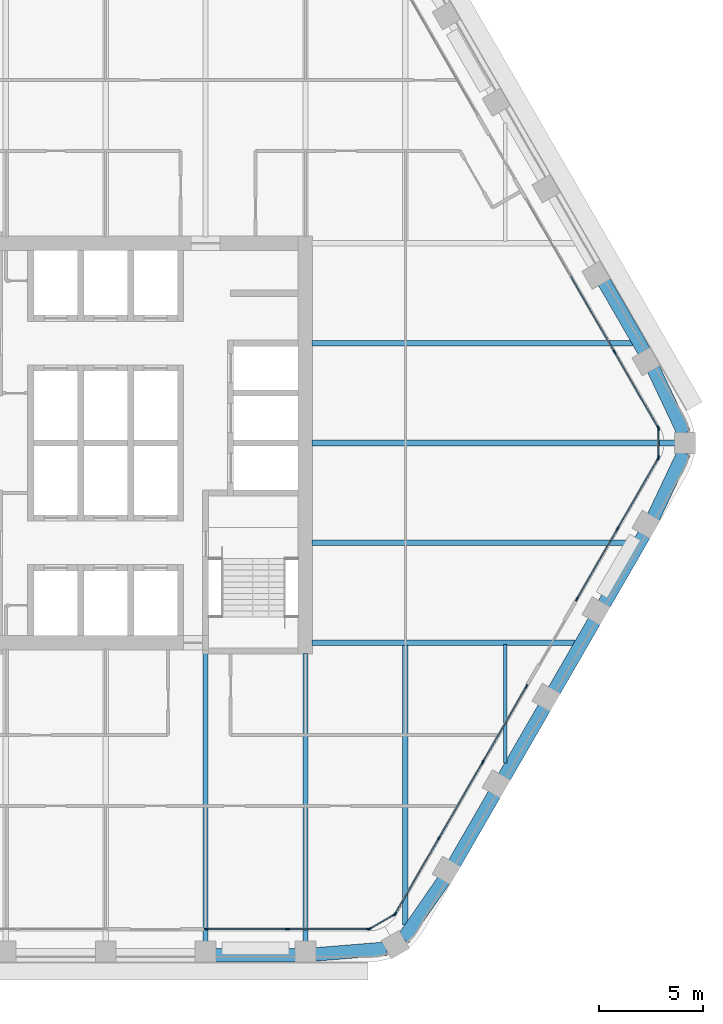
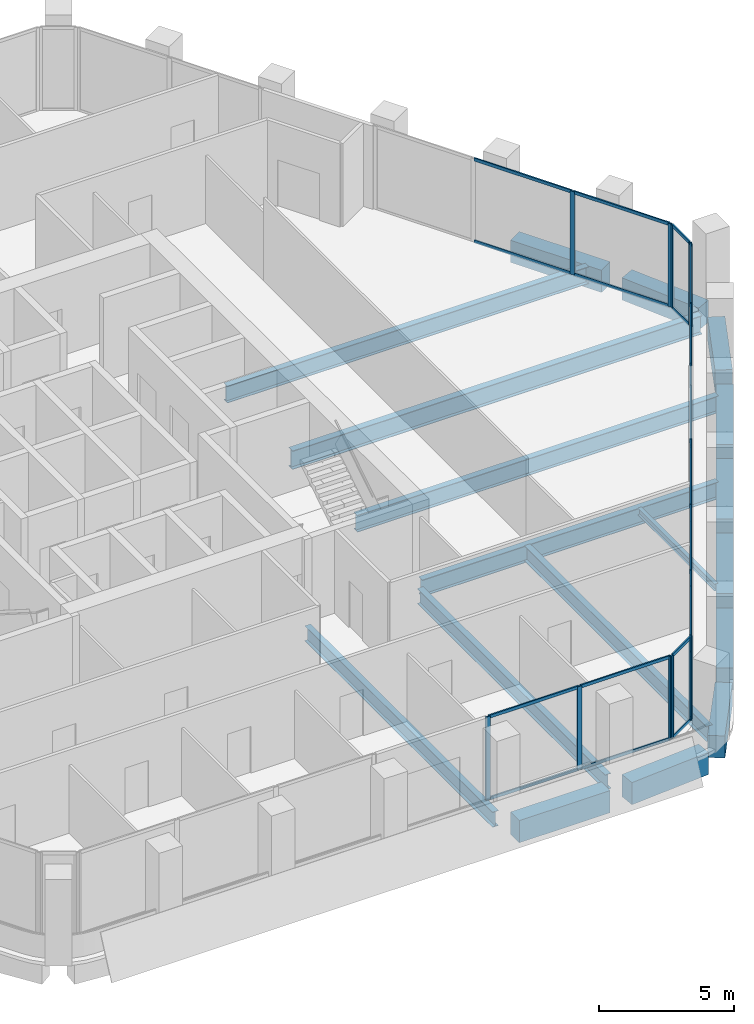
# One storey, part 4 of 15: 38 members, 18 beams, 6 elements without a shape of their own.
"""IFC4 building model written with IfcOpenShell, lengths in metres."""

from ifc_helpers import new_model, si_unit, direction, frame, origin, origin_2d, place, context, subcontext, project, spatial, rectangle, i_section, extrude, material, material_profile, profile_set, type_object, element, aggregate, save


model = new_model("IFC4")

# Units and contexts
model_context = context("Model", 3, precision=1e-05, world=origin(), true_north=direction((0.0, 1.0)))
body_context = subcontext(model_context, "Body", "Model", "MODEL_VIEW")
ifc_project = project(units=[si_unit("LENGTHUNIT", "METRE"), si_unit("AREAUNIT", "SQUARE_METRE"), si_unit("VOLUMEUNIT", "CUBIC_METRE"), si_unit("PLANEANGLEUNIT", "RADIAN"), si_unit("MASSUNIT", "GRAM", prefix="KILO")], contexts=[model_context])

# Site, building, storey
site_placement = place(None, origin())
site = spatial("IfcSite", under=ifc_project, at=site_placement, CompositionType="ELEMENT")
building_placement = place(site_placement, origin())
building = spatial("IfcBuilding", under=site, at=building_placement, Name="Kolab Exchange Tower", CompositionType="ELEMENT")
storey_placement = place(building_placement, frame((0.0, 0.0, 138.800048828125)))
storey = spatial("IfcBuildingStorey", under=building, at=storey_placement, Name="L27", CompositionType="ELEMENT", Elevation=138.800048828125)

# Beams
ifc_material_1 = material(Name="Steel S355", Category="steel")
ifc_material_profile_1 = material_profile(ifc_material_1, i_section(OverallWidth=0.1650390625, OverallDepth=0.31005859375, WebThickness=0.005859375, FlangeThickness=0.009765625, at=origin_2d()), Name="W310X39")
ifc_profile_set_1 = profile_set([ifc_material_profile_1], Name="Steel S355")
beam_type_1 = type_object("IfcBeamType", Name="FLOOR BEAM W310X39", PredefinedType="BEAM", material=ifc_profile_set_1)
beam_1_placement = place(storey_placement, frame((19.199951171875, -15.36767578125, -0.304931640625), z_axis=(0.0, 1.0, 0.0), x_axis=(-1.0, 0.0, 0.0)))
element("IfcBeam", 1, at=beam_1_placement, inside=storey, type_object=beam_type_1, Name="beam/L27/fr/022", PredefinedType="BEAM", context=body_context, shape_type="SweptSolid", body=[
    extrude(i_section(OverallWidth=0.1650390625, OverallDepth=0.31005859375, WebThickness=0.005859375, FlangeThickness=0.009765625, at=origin_2d()), origin(), (0.0, 0.0, 1.0), 5.674072265625),
])
ifc_material_profile_2 = material_profile(ifc_material_1, i_section(OverallWidth=0.25390625, OverallDepth=0.68408203125, WebThickness=0.012451171875, FlangeThickness=0.018798828125, at=origin_2d()), Name="W690X140")
ifc_profile_set_2 = profile_set([ifc_material_profile_2], Name="Steel S355")
beam_type_2 = type_object("IfcBeamType", Name="FLOOR BEAM W690X140", PredefinedType="BEAM", material=ifc_profile_set_2)
for number, where, z_axis, x_axis, name in (
    (2, (4.800048828125, -23.9814453125, -0.491943359375), (0.0, 1.0, 0.0), (-1.0, 0.0, 0.0), "beam/L27/fr/013"),
    (3, (9.60009765625, -23.9814453125, -0.491943359375), (0.0, 1.0, 0.0), (-1.0, 0.0, 0.0), "beam/L27/fr/015"),
):
    element("IfcBeam", number, at=place(storey_placement, frame(where, z_axis=z_axis, x_axis=x_axis)), inside=storey, type_object=beam_type_2, Name=name, PredefinedType="BEAM", context=body_context, shape_type="SweptSolid", body=[
        extrude(i_section(OverallWidth=0.25390625, OverallDepth=0.68408203125, WebThickness=0.012451171875, FlangeThickness=0.018798828125, at=origin_2d()), origin(), (0.0, 0.0, 1.0), 13.871337890625),
    ])
beam_2_placement = place(storey_placement, frame((14.39990234375, -23.15576171875, -0.491943359375), z_axis=(0.0, 1.0, 0.0), x_axis=(-1.0, 0.0, 0.0)))
element("IfcBeam", 4, at=beam_2_placement, inside=storey, type_object=beam_type_2, Name="beam/L27/fr/020", PredefinedType="BEAM", context=body_context, shape_type="SweptSolid", body=[
    extrude(i_section(OverallWidth=0.25390625, OverallDepth=0.68408203125, WebThickness=0.012451171875, FlangeThickness=0.018798828125, at=origin_2d()), origin(), (0.0, 0.0, 1.0), 13.462158203125),
])
ifc_material_profile_3 = material_profile(ifc_material_1, i_section(OverallWidth=0.26708984375, OverallDepth=0.761962890625, WebThickness=0.014404296875, FlangeThickness=0.021484375, at=origin_2d()), Name="W760X173")
ifc_profile_set_3 = profile_set([ifc_material_profile_3], Name="Steel S355")
beam_type_3 = type_object("IfcBeamType", Name="FLOOR BEAM W760X173", PredefinedType="BEAM", material=ifc_profile_set_3)
for number, where, z_axis, x_axis, name in (
    (5, (9.909912109375, -4.800048828125, -0.531005859375), (1.0, 0.0, 0.0), (0.0, 1.0, 0.0), "beam/L27/fr/017"),
    (6, (9.909912109375, 4.800048828125, -0.531005859375), (1.0, 0.0, 0.0), (0.0, 1.0, 0.0), "beam/L27/fr/019"),
):
    element("IfcBeam", number, at=place(storey_placement, frame(where, z_axis=z_axis, x_axis=x_axis)), inside=storey, type_object=beam_type_3, Name=name, PredefinedType="BEAM", context=body_context, shape_type="SweptSolid", body=[
        extrude(i_section(OverallWidth=0.26708984375, OverallDepth=0.761962890625, WebThickness=0.014404296875, FlangeThickness=0.021484375, at=origin_2d()), origin(), (0.0, 0.0, 1.0), 15.408203125),
    ])
ifc_material_profile_4 = material_profile(ifc_material_1, i_section(OverallWidth=0.2919921875, OverallDepth=0.840087890625, WebThickness=0.0146484375, FlangeThickness=0.021728515625, at=origin_2d()), Name="W840X193")
ifc_profile_set_4 = profile_set([ifc_material_profile_4], Name="Steel S355")
beam_type_4 = type_object("IfcBeamType", Name="FLOOR BEAM W840X193", PredefinedType="BEAM", material=ifc_profile_set_4)
beam_3_placement = place(storey_placement, frame((9.909912109375, 0.0, -0.570068359375), z_axis=(1.0, 0.0, 0.0), x_axis=(0.0, 1.0, 0.0)))
element("IfcBeam", 7, at=beam_3_placement, inside=storey, type_object=beam_type_4, Name="beam/L27/fr/018", PredefinedType="BEAM", context=body_context, shape_type="SweptSolid", body=[
    extrude(i_section(OverallWidth=0.2919921875, OverallDepth=0.840087890625, WebThickness=0.0146484375, FlangeThickness=0.021728515625, at=origin_2d()), origin(), (0.0, 0.0, 1.0), 17.466064453125),
])
ifc_material_profile_5 = material_profile(ifc_material_1, i_section(OverallWidth=0.26708984375, OverallDepth=0.761962890625, WebThickness=0.014404296875, FlangeThickness=0.021484375, at=origin_2d()), Name="W760X173")
ifc_profile_set_5 = profile_set([ifc_material_profile_5], Name="Steel S355")
beam_type_5 = type_object("IfcBeamType", Name="FLOOR GIRDER W760X173", PredefinedType="BEAM", material=ifc_profile_set_5)
beam_4_placement = place(storey_placement, frame((9.909912109375, -9.60009765625, -0.531005859375), z_axis=(1.0, 0.0, 0.0), x_axis=(0.0, 1.0, 0.0)))
element("IfcBeam", 8, at=beam_4_placement, inside=storey, type_object=beam_type_5, Name="beam/L27/gd/002", PredefinedType="BEAM", context=body_context, shape_type="SweptSolid", body=[
    extrude(i_section(OverallWidth=0.26708984375, OverallDepth=0.761962890625, WebThickness=0.014404296875, FlangeThickness=0.021484375, at=origin_2d()), origin(), (0.0, 0.0, 1.0), 12.636962890625),
])
ifc_material_2 = material(Name="Concrete C60/75", Category="concrete")
ifc_material_profile_6 = material_profile(ifc_material_2, rectangle(XDim=0.64990234375, YDim=1.0, at=origin_2d()), Name="RC650X1000")
ifc_profile_set_6 = profile_set([ifc_material_profile_6], Name="Concrete C60/75")
beam_type_6 = type_object("IfcBeamType", Name="SPANDREL BEAM 650X1000 C60/75", PredefinedType="BEAM", material=ifc_profile_set_6)
beam_5_placement = place(storey_placement, frame((23.948486328125, 7.7529296875, -0.650146484375), z_axis=(0.499996613652, -0.866027358884, 0.0), x_axis=(0.866027358884, 0.499996613652, 0.0)))
element("IfcBeam", 9, at=beam_5_placement, inside=storey, type_object=beam_type_6, Name="beam/L27/sp/F2-05", PredefinedType="BEAM", context=body_context, shape_type="SweptSolid", body=[
    extrude(rectangle(XDim=0.64990234375, YDim=1.0, at=origin_2d()), origin(), (0.0, 0.0, 1.0), 3.8798828125),
])
for number, where, z_axis, x_axis, name in (
    (10, (26.316162109375, 3.5771484375, -0.650146484375), (0.428177731975, -0.903694544545, 0.0), (0.903694544545, 0.428177731975, 0.0), "beam/L27/sp/F2-06"),
    (11, (27.791259765625, -0.4638671875, -0.650146484375), (-0.428177731975, -0.903694544545, 0.0), (0.903694544545, -0.428177731975, 0.0), "beam/L27/sp/F3-01"),
):
    element("IfcBeam", number, at=place(storey_placement, frame(where, z_axis=z_axis, x_axis=x_axis)), inside=storey, type_object=beam_type_6, Name=name, PredefinedType="BEAM", context=body_context, shape_type="SweptSolid", body=[
        extrude(rectangle(XDim=0.64990234375, YDim=1.0, at=origin_2d()), origin(), (0.0, 0.0, 1.0), 3.445068359375),
    ])
for number, where, z_axis, x_axis, name in (
    (12, (25.888427734375, -4.392822265625, -0.650146484375), (-0.499996613652, -0.866027358884, 0.0), (0.866027358884, -0.499996613652, 0.0), "beam/L27/sp/F3-02"),
    (13, (23.488525390625, -8.5498046875, -0.650146484375), (-0.499996613652, -0.866027358884, 0.0), (0.866027358884, -0.499996613652, 0.0), "beam/L27/sp/F3-03"),
):
    element("IfcBeam", number, at=place(storey_placement, frame(where, z_axis=z_axis, x_axis=x_axis)), inside=storey, type_object=beam_type_6, Name=name, PredefinedType="BEAM", context=body_context, shape_type="SweptSolid", body=[
        extrude(rectangle(XDim=0.64990234375, YDim=1.0, at=origin_2d()), origin(), (0.0, 0.0, 1.0), 3.8798828125),
    ])
beam_6_placement = place(storey_placement, frame((21.088623046875, -12.70654296875, -0.650146484375), z_axis=(-0.50001655835, -0.866015843605, 0.0), x_axis=(0.866015843605, -0.50001655835, 0.0)))
element("IfcBeam", 14, at=beam_6_placement, inside=storey, type_object=beam_type_6, Name="beam/L27/sp/F3-04", PredefinedType="BEAM", context=body_context, shape_type="SweptSolid", body=[
    extrude(rectangle(XDim=0.64990234375, YDim=1.0, at=origin_2d()), origin(), (0.0, 0.0, 1.0), 3.880126953125),
])
beam_7_placement = place(storey_placement, frame((18.6884765625, -16.863525390625, -0.650146484375), z_axis=(-0.499996613652, -0.866027358884, 0.0), x_axis=(0.866027358884, -0.499996613652, 0.0)))
element("IfcBeam", 15, at=beam_7_placement, inside=storey, type_object=beam_type_6, Name="beam/L27/sp/F3-05", PredefinedType="BEAM", context=body_context, shape_type="SweptSolid", body=[
    extrude(rectangle(XDim=0.64990234375, YDim=1.0, at=origin_2d()), origin(), (0.0, 0.0, 1.0), 3.8798828125),
])
for number, where, z_axis, x_axis, name in (
    (16, (16.256103515625, -21.001953125, -0.650146484375), (-0.568572281073, -0.822633309073, 0.0), (0.822633309073, -0.568572281073, 0.0), "beam/L27/sp/F3-06"),
    (17, (13.493896484375, -24.2998046875, -0.650146484375), (-0.996708497182, -0.081068931445, 0.0), (0.081068931445, -0.996708497182, 0.0), "beam/L27/sp/F4-01"),
):
    element("IfcBeam", number, at=place(storey_placement, frame(where, z_axis=z_axis, x_axis=x_axis)), inside=storey, type_object=beam_type_6, Name=name, PredefinedType="BEAM", context=body_context, shape_type="SweptSolid", body=[
        extrude(rectangle(XDim=0.64990234375, YDim=1.0, at=origin_2d()), origin(), (0.0, 0.0, 1.0), 3.445068359375),
    ])
beam_8_placement = place(storey_placement, frame((9.139892578125, -24.616455078125, -0.650146484375), z_axis=(-1.0, 0.0, 0.0), x_axis=(0.0, -1.0, 0.0)))
element("IfcBeam", 18, at=beam_8_placement, inside=storey, type_object=beam_type_6, Name="beam/L27/sp/F4-02", PredefinedType="BEAM", context=body_context, shape_type="SweptSolid", body=[
    extrude(rectangle(XDim=0.64990234375, YDim=1.0, at=origin_2d()), origin(), (0.0, 0.0, 1.0), 3.8798828125),
])

# Curtain wall, members
ifc_material_3 = material(Name="Aluminium EN AW-6063 T6", Category="aluminium")
curtain_wall_type = type_object("IfcCurtainWallType", Name="UNITISED UPPER MID ZONE CURTAIN WALL", PredefinedType="NOTDEFINED", material=ifc_material_3)
curtain_wall_1_placement = place(storey_placement, origin())
curtain_wall_1 = element("IfcCurtainWall", 19, at=curtain_wall_1_placement, inside=storey, type_object=curtain_wall_type, Name="cw/L27/F2-2", PredefinedType="NOTDEFINED")
ifc_material_profile_7 = material_profile(ifc_material_3, rectangle(XDim=0.06005859375, YDim=0.199951171875, at=origin_2d()), Name="RECT 60X200")
ifc_profile_set_7 = profile_set([ifc_material_profile_7], Name="Aluminium EN AW-6063 T6")
member_type_1 = type_object("IfcMemberType", Name="UNITISED UPPER MID ZONE MULLION 60 X 200", PredefinedType="MULLION", material=ifc_profile_set_7)
member_1_placement = place(storey_placement, frame((24.454345703125, 4.366943359375, 0.0), z_axis=(0.0, 0.0, 1.0), x_axis=(0.866025427826, 0.499999958358, 0.0)))
member_1 = element("IfcMember", 20, at=member_1_placement, type_object=member_type_1, Name="CW3 mullion 3", PredefinedType="MULLION", context=body_context, shape_type="SweptSolid", body=[
    extrude(rectangle(XDim=0.06005859375, YDim=0.199951171875, at=origin_2d()), origin(), (0.0, 0.0, 1.0), 3.75),
])
member_2_placement = place(storey_placement, frame((26.550537109375, 0.736083984375, 0.0), z_axis=(0.0, 0.0, 1.0), x_axis=(0.866025427826, 0.499999958358, 0.0)))
member_2 = element("IfcMember", 21, at=member_2_placement, type_object=member_type_1, Name="CW3 mullion 4", PredefinedType="MULLION", context=body_context, shape_type="SweptSolid", body=[
    extrude(rectangle(XDim=0.06005859375, YDim=0.199951171875, at=origin_2d()), origin(), (0.0, 0.0, 1.0), 3.75),
])

curtain_wall_2_placement = place(storey_placement, origin())
curtain_wall_2 = element("IfcCurtainWall", 22, at=curtain_wall_2_placement, inside=storey, type_object=curtain_wall_type, Name="cw/L27/F3-1", PredefinedType="NOTDEFINED")
member_3_placement = place(storey_placement, frame((26.550537109375, -0.736083984375, 0.0), z_axis=(0.0, 0.0, 1.0), x_axis=(0.866025440524, -0.499999936366, 0.0)))
member_3 = element("IfcMember", 23, at=member_3_placement, type_object=member_type_1, Name="CW3 mullion 1", PredefinedType="MULLION", context=body_context, shape_type="SweptSolid", body=[
    extrude(rectangle(XDim=0.06005859375, YDim=0.199951171875, at=origin_2d()), origin(), (0.0, 0.0, 1.0), 3.75),
])
member_4_placement = place(storey_placement, frame((24.5986328125, -4.116943359375, 0.0), z_axis=(0.0, 0.0, 1.0), x_axis=(0.866025440524, -0.499999936366, 0.0)))
member_4 = element("IfcMember", 24, at=member_4_placement, type_object=member_type_1, Name="CW3 mullion 2", PredefinedType="MULLION", context=body_context, shape_type="SweptSolid", body=[
    extrude(rectangle(XDim=0.06005859375, YDim=0.199951171875, at=origin_2d()), origin(), (0.0, 0.0, 1.0), 3.75),
])
member_5_placement = place(storey_placement, frame((22.646728515625, -7.497802734375, 0.0), z_axis=(0.0, 0.0, 1.0), x_axis=(0.866025440524, -0.499999936366, 0.0)))
member_5 = element("IfcMember", 25, at=member_5_placement, type_object=member_type_1, Name="CW3 mullion 3", PredefinedType="MULLION", context=body_context, shape_type="SweptSolid", body=[
    extrude(rectangle(XDim=0.06005859375, YDim=0.199951171875, at=origin_2d()), origin(), (0.0, 0.0, 1.0), 3.75),
])

curtain_wall_3_placement = place(storey_placement, origin())
curtain_wall_3 = element("IfcCurtainWall", 26, at=curtain_wall_3_placement, inside=storey, type_object=curtain_wall_type, Name="cw/L27/F3-2", PredefinedType="NOTDEFINED")
member_6_placement = place(storey_placement, frame((20.216796875, -11.706787109375, 0.0), z_axis=(0.0, 0.0, 1.0), x_axis=(0.866025393644, -0.500000017564, 0.0)))
member_6 = element("IfcMember", 27, at=member_6_placement, type_object=member_type_1, Name="CW3 mullion 1", PredefinedType="MULLION", context=body_context, shape_type="SweptSolid", body=[
    extrude(rectangle(XDim=0.06005859375, YDim=0.199951171875, at=origin_2d()), origin(), (0.0, 0.0, 1.0), 3.75),
])
member_7_placement = place(storey_placement, frame((18.120361328125, -15.337646484375, 0.0), z_axis=(0.0, 0.0, 1.0), x_axis=(0.866025393644, -0.500000017564, 0.0)))
member_7 = element("IfcMember", 28, at=member_7_placement, type_object=member_type_1, Name="CW3 mullion 2", PredefinedType="MULLION", context=body_context, shape_type="SweptSolid", body=[
    extrude(rectangle(XDim=0.06005859375, YDim=0.199951171875, at=origin_2d()), origin(), (0.0, 0.0, 1.0), 3.75),
])
member_8_placement = place(storey_placement, frame((16.009033203125, -18.99462890625, 0.0), z_axis=(0.0, 0.0, 1.0), x_axis=(0.866025393644, -0.500000017564, 0.0)))
member_8 = element("IfcMember", 29, at=member_8_placement, type_object=member_type_1, Name="CW3 mullion 3", PredefinedType="MULLION", context=body_context, shape_type="SweptSolid", body=[
    extrude(rectangle(XDim=0.06005859375, YDim=0.199951171875, at=origin_2d()), origin(), (0.0, 0.0, 1.0), 3.75),
])
member_9_placement = place(storey_placement, frame((13.91259765625, -22.62548828125, 0.0), z_axis=(0.0, 0.0, 1.0), x_axis=(0.866025393644, -0.500000017564, 0.0)))
member_9 = element("IfcMember", 30, at=member_9_placement, type_object=member_type_1, Name="CW3 mullion 4", PredefinedType="MULLION", context=body_context, shape_type="SweptSolid", body=[
    extrude(rectangle(XDim=0.06005859375, YDim=0.199951171875, at=origin_2d()), origin(), (0.0, 0.0, 1.0), 3.75),
])

curtain_wall_4_placement = place(storey_placement, origin())
curtain_wall_4 = element("IfcCurtainWall", 31, at=curtain_wall_4_placement, inside=storey, type_object=curtain_wall_type, Name="cw/L27/F4-1", PredefinedType="NOTDEFINED")
member_10_placement = place(storey_placement, frame((12.637939453125, -23.361572265625, 0.0), z_axis=(0.0, 0.0, 1.0), x_axis=(0.0, -1.0, 0.0)))
member_10 = element("IfcMember", 32, at=member_10_placement, type_object=member_type_1, Name="CW3 mullion 1", PredefinedType="MULLION", context=body_context, shape_type="SweptSolid", body=[
    extrude(rectangle(XDim=0.06005859375, YDim=0.199951171875, at=origin_2d()), origin(), (0.0, 0.0, 1.0), 3.75),
])
member_11_placement = place(storey_placement, frame((8.73388671875, -23.361572265625, 0.0), z_axis=(0.0, 0.0, 1.0), x_axis=(0.0, -1.0, 0.0)))
member_11 = element("IfcMember", 33, at=member_11_placement, type_object=member_type_1, Name="CW3 mullion 2", PredefinedType="MULLION", context=body_context, shape_type="SweptSolid", body=[
    extrude(rectangle(XDim=0.06005859375, YDim=0.199951171875, at=origin_2d()), origin(), (0.0, 0.0, 1.0), 3.75),
])
member_12_placement = place(storey_placement, frame((4.830078125, -23.361572265625, 0.0), z_axis=(0.0, 0.0, 1.0), x_axis=(0.0, -1.0, 0.0)))
member_12 = element("IfcMember", 34, at=member_12_placement, type_object=member_type_1, Name="CW3 mullion 3", PredefinedType="MULLION", context=body_context, shape_type="SweptSolid", body=[
    extrude(rectangle(XDim=0.06005859375, YDim=0.199951171875, at=origin_2d()), origin(), (0.0, 0.0, 1.0), 3.75),
])

curtain_wall_5_placement = place(storey_placement, origin())
curtain_wall_5 = element("IfcCurtainWall", 35, at=curtain_wall_5_placement, inside=storey, type_object=curtain_wall_type, Name="cw/L27/F2F3-corner", PredefinedType="NOTDEFINED")
member_13_placement = place(storey_placement, frame((26.565673828125, 0.679931640625, 0.0), z_axis=(0.0, 0.0, 1.0), x_axis=(1.0, 0.0, 0.0)))
member_13 = element("IfcMember", 36, at=member_13_placement, type_object=member_type_1, Name="CW3 mullion 1", PredefinedType="MULLION", context=body_context, shape_type="SweptSolid", body=[
    extrude(rectangle(XDim=0.06005859375, YDim=0.199951171875, at=origin_2d()), origin(), (0.0, 0.0, 1.0), 3.75),
])
member_14_placement = place(storey_placement, frame((26.565673828125, -0.679931640625, 0.0), z_axis=(0.0, 0.0, 1.0), x_axis=(1.0, 0.0, 0.0)))
member_14 = element("IfcMember", 37, at=member_14_placement, type_object=member_type_1, Name="CW3 mullion 2", PredefinedType="MULLION", context=body_context, shape_type="SweptSolid", body=[
    extrude(rectangle(XDim=0.06005859375, YDim=0.199951171875, at=origin_2d()), origin(), (0.0, 0.0, 1.0), 3.75),
])

curtain_wall_6_placement = place(storey_placement, origin())
curtain_wall_6 = element("IfcCurtainWall", 38, at=curtain_wall_6_placement, inside=storey, type_object=curtain_wall_type, Name="cw/L27/F3F4-corner", PredefinedType="NOTDEFINED")
member_15_placement = place(storey_placement, frame((13.871826171875, -22.66650390625, 0.0), z_axis=(0.0, 0.0, 1.0), x_axis=(0.50000002237, -0.866025390869, 0.0)))
member_15 = element("IfcMember", 39, at=member_15_placement, type_object=member_type_1, Name="CW3 mullion 1", PredefinedType="MULLION", context=body_context, shape_type="SweptSolid", body=[
    extrude(rectangle(XDim=0.06005859375, YDim=0.199951171875, at=origin_2d()), origin(), (0.0, 0.0, 1.0), 3.75),
])
member_16_placement = place(storey_placement, frame((12.69384765625, -23.346435546875, 0.0), z_axis=(0.0, 0.0, 1.0), x_axis=(0.50000002237, -0.866025390869, 0.0)))
member_16 = element("IfcMember", 40, at=member_16_placement, type_object=member_type_1, Name="CW3 mullion 2", PredefinedType="MULLION", context=body_context, shape_type="SweptSolid", body=[
    extrude(rectangle(XDim=0.06005859375, YDim=0.199951171875, at=origin_2d()), origin(), (0.0, 0.0, 1.0), 3.75),
])

# Member
ifc_material_profile_8 = material_profile(ifc_material_3, rectangle(XDim=0.06005859375, YDim=0.139892578125, at=origin_2d()), Name="RECT 60X140")
ifc_profile_set_8 = profile_set([ifc_material_profile_8], Name="Aluminium EN AW-6063 T6")
member_type_2 = type_object("IfcMemberType", Name="UNITISED UPPER MID ZONE TRANSOM 60 X 140", PredefinedType="USERDEFINED", material=ifc_profile_set_8)
member_17_placement = place(storey_placement, frame((22.35791015625, 7.997802734375, 0.030029296875), z_axis=(0.49999322259, -0.866029316688, 0.0), x_axis=(0.866029316688, 0.49999322259, 0.0)))
member_17 = element("IfcMember", 41, at=member_17_placement, type_object=member_type_2, Name="CW3 transom 2.1", ObjectType="TRANSOM", PredefinedType="USERDEFINED", context=body_context, shape_type="SweptSolid", body=[
    extrude(rectangle(XDim=0.06005859375, YDim=0.139892578125, at=origin_2d()), origin(), (0.0, 0.0, 1.0), 4.16259765625),
])

member_18_placement = place(storey_placement, frame((22.35791015625, 7.997802734375, 3.719970703125), z_axis=(0.49999322259, -0.866029316688, 0.0), x_axis=(0.866029316688, 0.49999322259, 0.0)))
member_18 = element("IfcMember", 42, at=member_18_placement, type_object=member_type_2, Name="CW3 transom 2.2", ObjectType="TRANSOM", PredefinedType="USERDEFINED", context=body_context, shape_type="SweptSolid", body=[
    extrude(rectangle(XDim=0.06005859375, YDim=0.139892578125, at=origin_2d()), origin(), (0.0, 0.0, 1.0), 4.16259765625),
])

member_19_placement = place(storey_placement, frame((24.46923828125, 4.3408203125, 0.030029296875), z_axis=(0.500027577057, -0.866009481578, 0.0), x_axis=(0.866009481578, 0.500027577057, 0.0)))
member_19 = element("IfcMember", 43, at=member_19_placement, type_object=member_type_2, Name="CW3 transom 3.1", ObjectType="TRANSOM", PredefinedType="USERDEFINED", context=body_context, shape_type="SweptSolid", body=[
    extrude(rectangle(XDim=0.06005859375, YDim=0.139892578125, at=origin_2d()), origin(), (0.0, 0.0, 1.0), 4.132568359375),
])

member_20_placement = place(storey_placement, frame((24.46923828125, 4.3408203125, 3.719970703125), z_axis=(0.500027577057, -0.866009481578, 0.0), x_axis=(0.866009481578, 0.500027577057, 0.0)))
member_20 = element("IfcMember", 44, at=member_20_placement, type_object=member_type_2, Name="CW3 transom 3.2", ObjectType="TRANSOM", PredefinedType="USERDEFINED", context=body_context, shape_type="SweptSolid", body=[
    extrude(rectangle(XDim=0.06005859375, YDim=0.139892578125, at=origin_2d()), origin(), (0.0, 0.0, 1.0), 4.132568359375),
])

aggregate(curtain_wall_1, [member_1, member_2, member_17, member_18, member_19, member_20])

member_21_placement = place(storey_placement, frame((26.53564453125, -0.761962890625, 0.030029296875), z_axis=(-0.499991857942, -0.866030104553, 0.0), x_axis=(0.866030104553, -0.499991857942, 0.0)))
member_21 = element("IfcMember", 45, at=member_21_placement, type_object=member_type_2, Name="CW3 transom 1.1", ObjectType="TRANSOM", PredefinedType="USERDEFINED", context=body_context, shape_type="SweptSolid", body=[
    extrude(rectangle(XDim=0.06005859375, YDim=0.139892578125, at=origin_2d()), origin(), (0.0, 0.0, 1.0), 3.84375),
])

member_22_placement = place(storey_placement, frame((26.53564453125, -0.761962890625, 3.719970703125), z_axis=(-0.499991857942, -0.866030104553, 0.0), x_axis=(0.866030104553, -0.499991857942, 0.0)))
member_22 = element("IfcMember", 46, at=member_22_placement, type_object=member_type_2, Name="CW3 transom 1.2", ObjectType="TRANSOM", PredefinedType="USERDEFINED", context=body_context, shape_type="SweptSolid", body=[
    extrude(rectangle(XDim=0.06005859375, YDim=0.139892578125, at=origin_2d()), origin(), (0.0, 0.0, 1.0), 3.84375),
])

member_23_placement = place(storey_placement, frame((24.583740234375, -4.142822265625, 0.030029296875), z_axis=(-0.500011990396, -0.866018481016, 0.0), x_axis=(0.866018481016, -0.500011990396, 0.0)))
member_23 = element("IfcMember", 47, at=member_23_placement, type_object=member_type_2, Name="CW3 transom 2.1", ObjectType="TRANSOM", PredefinedType="USERDEFINED", context=body_context, shape_type="SweptSolid", body=[
    extrude(rectangle(XDim=0.06005859375, YDim=0.139892578125, at=origin_2d()), origin(), (0.0, 0.0, 1.0), 3.84423828125),
])

member_24_placement = place(storey_placement, frame((24.583740234375, -4.142822265625, 3.719970703125), z_axis=(-0.500011990396, -0.866018481016, 0.0), x_axis=(0.866018481016, -0.500011990396, 0.0)))
member_24 = element("IfcMember", 48, at=member_24_placement, type_object=member_type_2, Name="CW3 transom 2.2", ObjectType="TRANSOM", PredefinedType="USERDEFINED", context=body_context, shape_type="SweptSolid", body=[
    extrude(rectangle(XDim=0.06005859375, YDim=0.139892578125, at=origin_2d()), origin(), (0.0, 0.0, 1.0), 3.84423828125),
])

aggregate(curtain_wall_2, [member_3, member_4, member_5, member_21, member_22, member_23, member_24])

member_25_placement = place(storey_placement, frame((20.20166015625, -11.732666015625, 0.030029296875), z_axis=(-0.500001996123, -0.866024251319, 0.0), x_axis=(0.866024251319, -0.500001996123, 0.0)))
member_25 = element("IfcMember", 49, at=member_25_placement, type_object=member_type_2, Name="CW3 transom 1.1", ObjectType="TRANSOM", PredefinedType="USERDEFINED", context=body_context, shape_type="SweptSolid", body=[
    extrude(rectangle(XDim=0.06005859375, YDim=0.139892578125, at=origin_2d()), origin(), (0.0, 0.0, 1.0), 4.1328125),
])

member_26_placement = place(storey_placement, frame((20.20166015625, -11.732666015625, 3.719970703125), z_axis=(-0.500001996123, -0.866024251319, 0.0), x_axis=(0.866024251319, -0.500001996123, 0.0)))
member_26 = element("IfcMember", 50, at=member_26_placement, type_object=member_type_2, Name="CW3 transom 1.2", ObjectType="TRANSOM", PredefinedType="USERDEFINED", context=body_context, shape_type="SweptSolid", body=[
    extrude(rectangle(XDim=0.06005859375, YDim=0.139892578125, at=origin_2d()), origin(), (0.0, 0.0, 1.0), 4.1328125),
])

member_27_placement = place(storey_placement, frame((18.10546875, -15.36376953125, 0.030029296875), z_axis=(-0.500037208726, -0.86600392025, 0.0), x_axis=(0.86600392025, -0.500037208726, 0.0)))
member_27 = element("IfcMember", 51, at=member_27_placement, type_object=member_type_2, Name="CW3 transom 2.1", ObjectType="TRANSOM", PredefinedType="USERDEFINED", context=body_context, shape_type="SweptSolid", body=[
    extrude(rectangle(XDim=0.06005859375, YDim=0.139892578125, at=origin_2d()), origin(), (0.0, 0.0, 1.0), 4.162841796875),
])

member_28_placement = place(storey_placement, frame((18.10546875, -15.36376953125, 3.719970703125), z_axis=(-0.500037208726, -0.86600392025, 0.0), x_axis=(0.86600392025, -0.500037208726, 0.0)))
member_28 = element("IfcMember", 52, at=member_28_placement, type_object=member_type_2, Name="CW3 transom 2.2", ObjectType="TRANSOM", PredefinedType="USERDEFINED", context=body_context, shape_type="SweptSolid", body=[
    extrude(rectangle(XDim=0.06005859375, YDim=0.139892578125, at=origin_2d()), origin(), (0.0, 0.0, 1.0), 4.162841796875),
])

member_29_placement = place(storey_placement, frame((15.994140625, -19.0205078125, 0.030029296875), z_axis=(-0.500001996123, -0.866024251319, 0.0), x_axis=(0.866024251319, -0.500001996123, 0.0)))
member_29 = element("IfcMember", 53, at=member_29_placement, type_object=member_type_2, Name="CW3 transom 3.1", ObjectType="TRANSOM", PredefinedType="USERDEFINED", context=body_context, shape_type="SweptSolid", body=[
    extrude(rectangle(XDim=0.06005859375, YDim=0.139892578125, at=origin_2d()), origin(), (0.0, 0.0, 1.0), 4.1328125),
])

member_30_placement = place(storey_placement, frame((15.994140625, -19.0205078125, 3.719970703125), z_axis=(-0.500001996123, -0.866024251319, 0.0), x_axis=(0.866024251319, -0.500001996123, 0.0)))
member_30 = element("IfcMember", 54, at=member_30_placement, type_object=member_type_2, Name="CW3 transom 3.2", ObjectType="TRANSOM", PredefinedType="USERDEFINED", context=body_context, shape_type="SweptSolid", body=[
    extrude(rectangle(XDim=0.06005859375, YDim=0.139892578125, at=origin_2d()), origin(), (0.0, 0.0, 1.0), 4.1328125),
])

aggregate(curtain_wall_3, [member_6, member_7, member_8, member_9, member_25, member_26, member_27, member_28, member_29, member_30])

member_31_placement = place(storey_placement, frame((12.60791015625, -23.361572265625, 0.030029296875), z_axis=(-1.0, 0.0, 0.0), x_axis=(0.0, -1.0, 0.0)))
member_31 = element("IfcMember", 55, at=member_31_placement, type_object=member_type_2, Name="CW3 transom 1.1", ObjectType="TRANSOM", PredefinedType="USERDEFINED", context=body_context, shape_type="SweptSolid", body=[
    extrude(rectangle(XDim=0.06005859375, YDim=0.139892578125, at=origin_2d()), origin(), (0.0, 0.0, 1.0), 3.843994140625),
])

member_32_placement = place(storey_placement, frame((12.60791015625, -23.361572265625, 3.719970703125), z_axis=(-1.0, 0.0, 0.0), x_axis=(0.0, -1.0, 0.0)))
member_32 = element("IfcMember", 56, at=member_32_placement, type_object=member_type_2, Name="CW3 transom 1.2", ObjectType="TRANSOM", PredefinedType="USERDEFINED", context=body_context, shape_type="SweptSolid", body=[
    extrude(rectangle(XDim=0.06005859375, YDim=0.139892578125, at=origin_2d()), origin(), (0.0, 0.0, 1.0), 3.843994140625),
])

member_33_placement = place(storey_placement, frame((8.703857421875, -23.361572265625, 0.030029296875), z_axis=(-1.0, 0.0, 0.0), x_axis=(0.0, -1.0, 0.0)))
member_33 = element("IfcMember", 57, at=member_33_placement, type_object=member_type_2, Name="CW3 transom 2.1", ObjectType="TRANSOM", PredefinedType="USERDEFINED", context=body_context, shape_type="SweptSolid", body=[
    extrude(rectangle(XDim=0.06005859375, YDim=0.139892578125, at=origin_2d()), origin(), (0.0, 0.0, 1.0), 3.84375),
])

member_34_placement = place(storey_placement, frame((8.703857421875, -23.361572265625, 3.719970703125), z_axis=(-1.0, 0.0, 0.0), x_axis=(0.0, -1.0, 0.0)))
member_34 = element("IfcMember", 58, at=member_34_placement, type_object=member_type_2, Name="CW3 transom 2.2", ObjectType="TRANSOM", PredefinedType="USERDEFINED", context=body_context, shape_type="SweptSolid", body=[
    extrude(rectangle(XDim=0.06005859375, YDim=0.139892578125, at=origin_2d()), origin(), (0.0, 0.0, 1.0), 3.84375),
])

aggregate(curtain_wall_4, [member_10, member_11, member_12, member_31, member_32, member_33, member_34])

member_35_placement = place(storey_placement, frame((26.565673828125, 0.64990234375, 0.030029296875), z_axis=(0.0, -1.0, 0.0), x_axis=(1.0, 0.0, 0.0)))
member_35 = element("IfcMember", 59, at=member_35_placement, type_object=member_type_2, Name="CW3 transom 1.1", ObjectType="TRANSOM", PredefinedType="USERDEFINED", context=body_context, shape_type="SweptSolid", body=[
    extrude(rectangle(XDim=0.06005859375, YDim=0.139892578125, at=origin_2d()), origin(), (0.0, 0.0, 1.0), 1.2998046875),
])

member_36_placement = place(storey_placement, frame((26.565673828125, 0.64990234375, 3.719970703125), z_axis=(0.0, -1.0, 0.0), x_axis=(1.0, 0.0, 0.0)))
member_36 = element("IfcMember", 60, at=member_36_placement, type_object=member_type_2, Name="CW3 transom 1.2", ObjectType="TRANSOM", PredefinedType="USERDEFINED", context=body_context, shape_type="SweptSolid", body=[
    extrude(rectangle(XDim=0.06005859375, YDim=0.139892578125, at=origin_2d()), origin(), (0.0, 0.0, 1.0), 1.2998046875),
])

aggregate(curtain_wall_5, [member_13, member_14, member_35, member_36])

member_37_placement = place(storey_placement, frame((13.845703125, -22.681640625, 0.030029296875), z_axis=(-0.86603858612, -0.49997716683, 0.0), x_axis=(0.49997716683, -0.86603858612, 0.0)))
member_37 = element("IfcMember", 61, at=member_37_placement, type_object=member_type_2, Name="CW3 transom 1.1", ObjectType="TRANSOM", PredefinedType="USERDEFINED", context=body_context, shape_type="SweptSolid", body=[
    extrude(rectangle(XDim=0.06005859375, YDim=0.139892578125, at=origin_2d()), origin(), (0.0, 0.0, 1.0), 1.2998046875),
])

member_38_placement = place(storey_placement, frame((13.845703125, -22.681640625, 3.719970703125), z_axis=(-0.86603858612, -0.49997716683, 0.0), x_axis=(0.49997716683, -0.86603858612, 0.0)))
member_38 = element("IfcMember", 62, at=member_38_placement, type_object=member_type_2, Name="CW3 transom 1.2", ObjectType="TRANSOM", PredefinedType="USERDEFINED", context=body_context, shape_type="SweptSolid", body=[
    extrude(rectangle(XDim=0.06005859375, YDim=0.139892578125, at=origin_2d()), origin(), (0.0, 0.0, 1.0), 1.2998046875),
])

aggregate(curtain_wall_6, [member_15, member_16, member_37, member_38])

save(model, "model.ifc")
